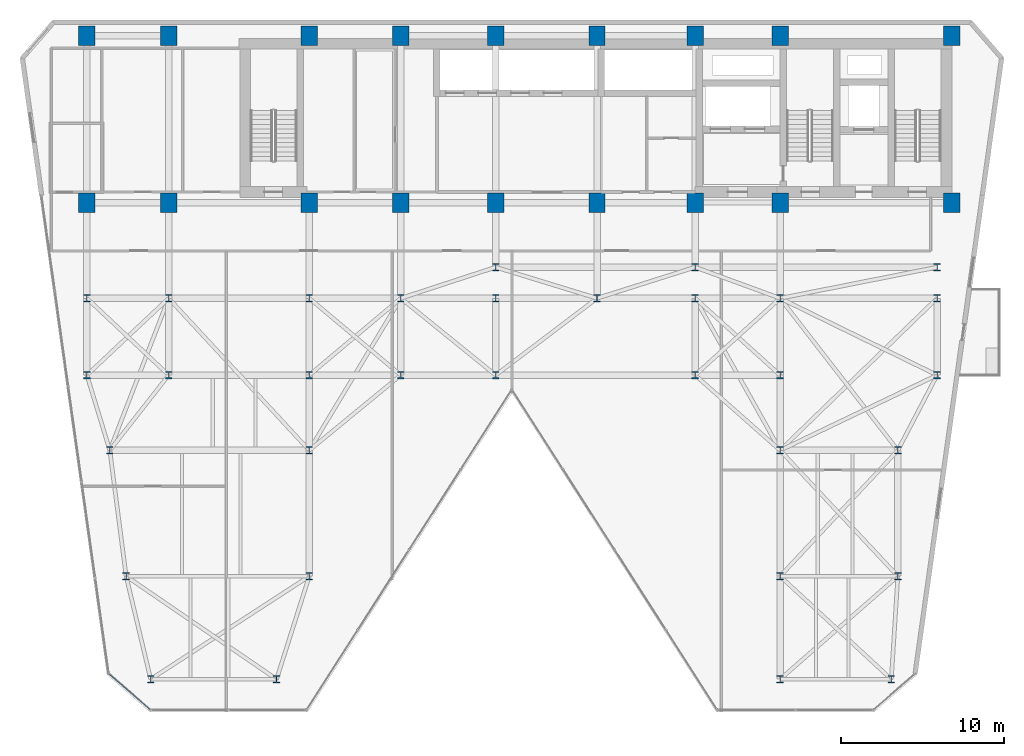
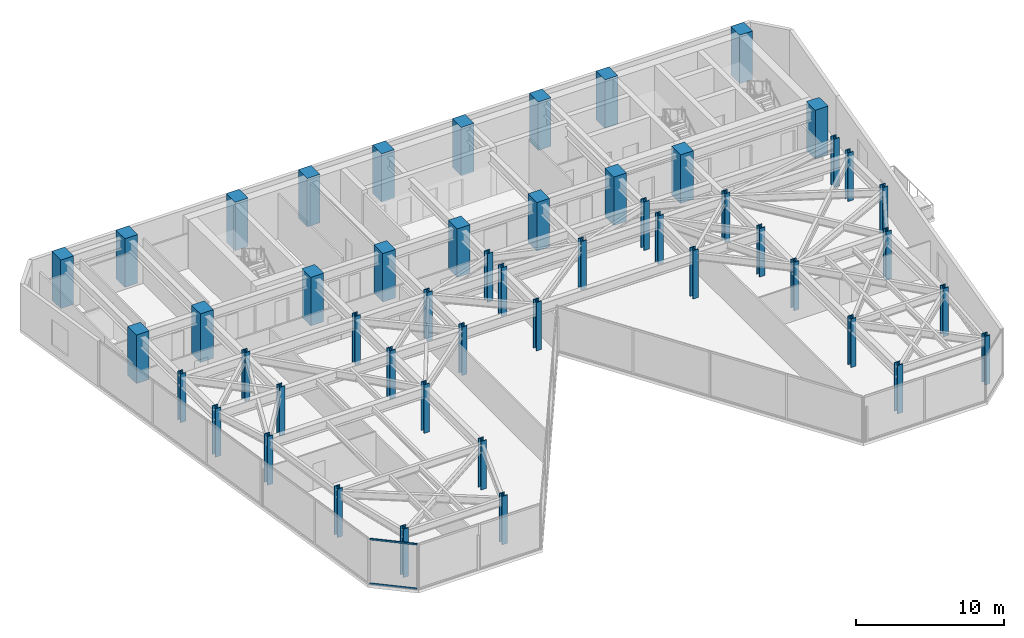
# One storey, part 1 of 26: 50 columns, 2 members, 1 element without a shape of its own.
"""IFC4 building model written with IfcOpenShell, lengths in metres."""

from ifc_helpers import new_model, si_unit, direction, frame, origin, origin_2d, place, context, subcontext, project, spatial, rectangle, hollow_rectangle, i_section, extrude, material, layer, layer_set, material_profile, profile_set, type_object, element, aggregate, save


model = new_model("IFC4")

# Units and contexts
model_context = context("Model", 3, precision=1e-05, world=origin(), true_north=direction((0.0, 1.0)))
body_context = subcontext(model_context, "Body", "Model", "MODEL_VIEW")
ifc_project = project(units=[si_unit("LENGTHUNIT", "METRE"), si_unit("AREAUNIT", "SQUARE_METRE"), si_unit("VOLUMEUNIT", "CUBIC_METRE"), si_unit("PLANEANGLEUNIT", "RADIAN"), si_unit("MASSUNIT", "GRAM", prefix="KILO")], contexts=[model_context])

# Site, building, storey
site_placement = place(None, origin())
site = spatial("IfcSite", under=ifc_project, at=site_placement, CompositionType="ELEMENT")
building_placement = place(site_placement, origin())
building = spatial("IfcBuilding", under=site, at=building_placement, Name="Kravanh Interchange Tower", CompositionType="ELEMENT")
storey_placement = place(building_placement, frame((0.0, 0.0, 152.0)))
storey = spatial("IfcBuildingStorey", under=building, at=storey_placement, Name="L36", CompositionType="ELEMENT", Elevation=152.0)

# Columns
ifc_material_1 = material(Name="Concrete C70/85", Category="concrete")
ifc_material_profile_1 = material_profile(ifc_material_1, rectangle(XDim=1.0, YDim=1.199951171875, at=origin_2d()), Name="RC1000X1200")
ifc_profile_set_1 = profile_set([ifc_material_profile_1], Name="Concrete C70/85")
column_type_1 = type_object("IfcColumnType", Name="Column RC1000X1200 Concrete C70/85", PredefinedType="COLUMN", material=ifc_profile_set_1)
for number, where, z_axis, x_axis, name in (
    (1, (66.5, 47.550048828125, 0.0), (0.0, 0.0, 1.0), (1.0, 0.0, 0.0), "L36 Column CS01"),
    (2, (56.0, 47.550048828125, 0.0), (0.0, 0.0, 1.0), (1.0, 0.0, 0.0), "L36 Column CS02"),
    (3, (66.5, 37.35009765625, 0.0), (0.0, 0.0, 1.0), (1.0, 0.0, 0.0), "L36 Column CS03"),
    (4, (56.0, 37.35009765625, 0.0), (0.0, 0.0, 1.0), (1.0, 0.0, 0.0), "L36 Column CS04"),
    (5, (50.800048828125, 47.550048828125, 0.0), (0.0, 0.0, 1.0), (1.0, 0.0, 0.0), "L36 Column CS05"),
    (6, (50.800048828125, 37.35009765625, 0.0), (0.0, 0.0, 1.0), (1.0, 0.0, 0.0), "L36 Column CS06"),
    (7, (44.800048828125, 37.35009765625, 0.0), (0.0, 0.0, 1.0), (1.0, 0.0, 0.0), "L36 Column CS07"),
    (8, (44.800048828125, 47.550048828125, 0.0), (0.0, 0.0, 1.0), (1.0, 0.0, 0.0), "L36 Column CS08"),
    (9, (38.60009765625, 37.35009765625, 0.0), (0.0, 0.0, 1.0), (1.0, 0.0, 0.0), "L36 Column CS09"),
    (10, (38.60009765625, 47.550048828125, 0.0), (0.0, 0.0, 1.0), (1.0, 0.0, 0.0), "L36 Column CS10"),
    (11, (32.800048828125, 37.35009765625, 0.0), (0.0, 0.0, 1.0), (1.0, 0.0, 0.0), "L36 Column CS11"),
    (12, (32.800048828125, 47.550048828125, 0.0), (0.0, 0.0, 1.0), (1.0, 0.0, 0.0), "L36 Column CS12"),
    (13, (27.199951171875, 37.35009765625, 0.0), (0.0, 0.0, 1.0), (1.0, 0.0, 0.0), "L36 Column CS13"),
    (14, (27.199951171875, 47.550048828125, 0.0), (0.0, 0.0, 1.0), (1.0, 0.0, 0.0), "L36 Column CS14"),
    (15, (18.60009765625, 37.35009765625, 0.0), (0.0, 0.0, 1.0), (1.0, 0.0, 0.0), "L36 Column CS17"),
    (16, (18.60009765625, 47.550048828125, 0.0), (0.0, 0.0, 1.0), (1.0, 0.0, 0.0), "L36 Column CS18"),
    (17, (13.60009765625, 37.35009765625, 0.0), (0.0, 0.0, 1.0), (1.0, 0.0, 0.0), "L36 Column CS19"),
    (18, (13.60009765625, 47.550048828125, 0.0), (0.0, 0.0, 1.0), (1.0, 0.0, 0.0), "L36 Column CS20"),
):
    element("IfcColumn", number, at=place(storey_placement, frame(where, z_axis=z_axis, x_axis=x_axis)), inside=storey, type_object=column_type_1, Name=name, PredefinedType="COLUMN", context=body_context, shape_type="SweptSolid", body=[
        extrude(rectangle(XDim=1.0, YDim=1.199951171875, at=origin_2d()), origin(), (0.0, 0.0, 1.0), 4.0),
    ])
ifc_material_2 = material(Name="Structural Steel S355", Category="steel")
ifc_material_profile_2 = material_profile(ifc_material_2, i_section(OverallWidth=0.416015625, OverallDepth=0.446044921875, WebThickness=0.0390625, FlangeThickness=0.062744140625, FilletRadius=0.030029296875, at=origin_2d()), Name="W14X342")
ifc_profile_set_2 = profile_set([ifc_material_profile_2], Name="Structural Steel S355")
column_type_2 = type_object("IfcColumnType", Name="Column W14X342 Structural Steel S355", PredefinedType="COLUMN", material=ifc_profile_set_2)
for number, where, z_axis, x_axis, name in (
    (19, (17.5, 8.199951171875, 0.0), (0.0, 0.0, 1.0), (1.0, 0.0, 0.0), "L36 Column CZ2_1"),
    (20, (13.60009765625, 26.800048828125, 0.0), (0.0, 0.0, 1.0), (1.0, 0.0, 0.0), "L36 Column CZ2_11"),
    (21, (18.60009765625, 26.800048828125, 0.0), (0.0, 0.0, 1.0), (1.0, 0.0, 0.0), "L36 Column CZ2_12"),
    (22, (27.199951171875, 26.800048828125, 0.0), (0.0, 0.0, 1.0), (1.0, 0.0, 0.0), "L36 Column CZ2_13"),
    (23, (32.800048828125, 26.800048828125, 0.0), (0.0, 0.0, 1.0), (1.0, 0.0, 0.0), "L36 Column CZ2_14"),
    (24, (38.60009765625, 26.800048828125, 0.0), (0.0, 0.0, 1.0), (1.0, 0.0, 0.0), "L36 Column CZ2_14B"),
    (25, (50.800048828125, 26.800048828125, 0.0), (0.0, 0.0, 1.0), (1.0, 0.0, 0.0), "L36 Column CZ2_15"),
    (26, (56.0, 26.800048828125, 0.0), (0.0, 0.0, 1.0), (1.0, 0.0, 0.0), "L36 Column CZ2_16"),
    (27, (65.60009765625, 26.800048828125, 0.0), (0.0, 0.0, 1.0), (1.0, 0.0, 0.0), "L36 Column CZ2_17"),
    (28, (13.60009765625, 31.5, 0.0), (0.0, 0.0, 1.0), (1.0, 0.0, 0.0), "L36 Column CZ2_18"),
    (29, (18.60009765625, 31.5, 0.0), (0.0, 0.0, 1.0), (1.0, 0.0, 0.0), "L36 Column CZ2_18B"),
    (30, (27.199951171875, 31.5, 0.0), (0.0, 0.0, 1.0), (1.0, 0.0, 0.0), "L36 Column CZ2_19"),
    (31, (25.199951171875, 8.199951171875, 0.0), (0.0, 0.0, 1.0), (1.0, 0.0, 0.0), "L36 Column CZ2_2"),
    (32, (32.800048828125, 31.5, 0.0), (0.0, 0.0, 1.0), (1.0, 0.0, 0.0), "L36 Column CZ2_20"),
    (33, (38.60009765625, 31.5, 0.0), (0.0, 0.0, 1.0), (1.0, 0.0, 0.0), "L36 Column CZ2_21"),
    (34, (44.800048828125, 31.5, 0.0), (0.0, 0.0, 1.0), (1.0, 0.0, 0.0), "L36 Column CZ2_22"),
    (35, (50.800048828125, 31.5, 0.0), (0.0, 0.0, 1.0), (1.0, 0.0, 0.0), "L36 Column CZ2_23"),
    (36, (56.0, 31.5, 0.0), (0.0, 0.0, 1.0), (1.0, 0.0, 0.0), "L36 Column CZ2_24"),
    (37, (65.60009765625, 31.5, 0.0), (0.0, 0.0, 1.0), (1.0, 0.0, 0.0), "L36 Column CZ2_25"),
    (38, (56.0, 8.199951171875, 0.0), (0.0, 0.0, 1.0), (1.0, 0.0, 0.0), "L36 Column CZ2_3"),
    (39, (62.800048828125, 8.199951171875, 0.0), (0.0, 0.0, 1.0), (1.0, 0.0, 0.0), "L36 Column CZ2_4"),
    (40, (16.0, 14.5, 0.0), (0.0, 0.0, 1.0), (1.0, 0.0, 0.0), "L36 Column CZ2_5"),
    (41, (27.199951171875, 14.5, 0.0), (0.0, 0.0, 1.0), (1.0, 0.0, 0.0), "L36 Column CZ2_5B"),
    (42, (56.0, 14.5, 0.0), (0.0, 0.0, 1.0), (1.0, 0.0, 0.0), "L36 Column CZ2_5C"),
    (43, (63.199951171875, 14.5, 0.0), (0.0, 0.0, 1.0), (1.0, 0.0, 0.0), "L36 Column CZ2_5D"),
    (44, (15.0, 22.199951171875, 0.0), (0.0, 0.0, 1.0), (1.0, 0.0, 0.0), "L36 Column CZ2_6"),
    (45, (27.199951171875, 22.199951171875, 0.0), (0.0, 0.0, 1.0), (1.0, 0.0, 0.0), "L36 Column CZ2_7"),
    (46, (56.0, 22.199951171875, 0.0), (0.0, 0.0, 1.0), (1.0, 0.0, 0.0), "L36 Column CZ2_8"),
    (47, (63.199951171875, 22.199951171875, 0.0), (0.0, 0.0, 1.0), (1.0, 0.0, 0.0), "L36 Column CZ2_9"),
    (48, (38.60009765625, 33.39990234375, 0.0), (0.0, 0.0, 1.0), (1.0, 0.0, 0.0), "L36 Column CZ2_M1"),
    (49, (50.800048828125, 33.39990234375, 0.0), (0.0, 0.0, 1.0), (1.0, 0.0, 0.0), "L36 Column CZ2_M2"),
    (50, (65.60009765625, 33.39990234375, 0.0), (0.0, 0.0, 1.0), (1.0, 0.0, 0.0), "L36 Column CZ2_M3"),
):
    element("IfcColumn", number, at=place(storey_placement, frame(where, z_axis=z_axis, x_axis=x_axis)), inside=storey, type_object=column_type_2, Name=name, PredefinedType="COLUMN", context=body_context, shape_type="SweptSolid", body=[
        extrude(i_section(OverallWidth=0.416015625, OverallDepth=0.446044921875, WebThickness=0.0390625, FlangeThickness=0.062744140625, FilletRadius=0.030029296875, at=origin_2d()), origin(), (0.0, 0.0, 1.0), 4.0),
    ])

# Curtain wall, members
ifc_material_3 = material(Name="Anodised Bronze Aluminium", Category="aluminium")
ifc_layer = layer(ifc_material_3, 0.179931640625)
ifc_layer_set = layer_set([ifc_layer], Name="Unitised Curtain Wall System CW-Z2 Mid Office")
curtain_wall_type = type_object("IfcCurtainWallType", Name="Unitised Curtain Wall System CW-Z2 Mid Office", PredefinedType="NOTDEFINED", material=ifc_layer_set)
curtain_wall_placement = place(storey_placement, origin())
curtain_wall = element("IfcCurtainWall", 51, at=curtain_wall_placement, inside=storey, type_object=curtain_wall_type, Name="L36 Unitised Curtain Wall CW-L36-07", PredefinedType="NOTDEFINED")
ifc_material_4 = material(Name="Anodised Bronze Aluminium", Category="aluminium")
ifc_material_profile_3 = material_profile(ifc_material_4, hollow_rectangle(XDim=0.06005859375, YDim=0.139892578125, WallThickness=0.00390625, at=origin_2d()), Name="ALU60X140X4")
ifc_profile_set_3 = profile_set([ifc_material_profile_3], Name="Anodised Bronze Aluminium")
member_type = type_object("IfcMemberType", Name="Curtain Wall Transom ALU60X140X4 Bronze", PredefinedType="USERDEFINED", material=ifc_profile_set_3)
member_1_placement = place(storey_placement, frame((17.444580078125, 6.359375, 0.030029296875), z_axis=(-0.754742467432, 0.656021194669, 0.0), x_axis=(-0.656021194669, -0.754742467432, 0.0)))
member_1 = element("IfcMember", 52, at=member_1_placement, type_object=member_type, Name="CW-Z2 transom 1.1", ObjectType="TRANSOM", PredefinedType="USERDEFINED", context=body_context, shape_type="SweptSolid", body=[
    extrude(hollow_rectangle(XDim=0.06005859375, YDim=0.139892578125, WallThickness=0.00390625, at=origin_2d()), origin(), (0.0, 0.0, 1.0), 3.261962890625),
])
member_2_placement = place(storey_placement, frame((17.444580078125, 6.359375, 3.68994140625), z_axis=(-0.754742467432, 0.656021194669, 0.0), x_axis=(-0.656021194669, -0.754742467432, 0.0)))
member_2 = element("IfcMember", 53, at=member_2_placement, type_object=member_type, Name="CW-Z2 transom 1.2", ObjectType="TRANSOM", PredefinedType="USERDEFINED", context=body_context, shape_type="SweptSolid", body=[
    extrude(hollow_rectangle(XDim=0.06005859375, YDim=0.139892578125, WallThickness=0.00390625, at=origin_2d()), origin(), (0.0, 0.0, 1.0), 3.261962890625),
])
aggregate(curtain_wall, [member_1, member_2])

save(model, "model.ifc")
